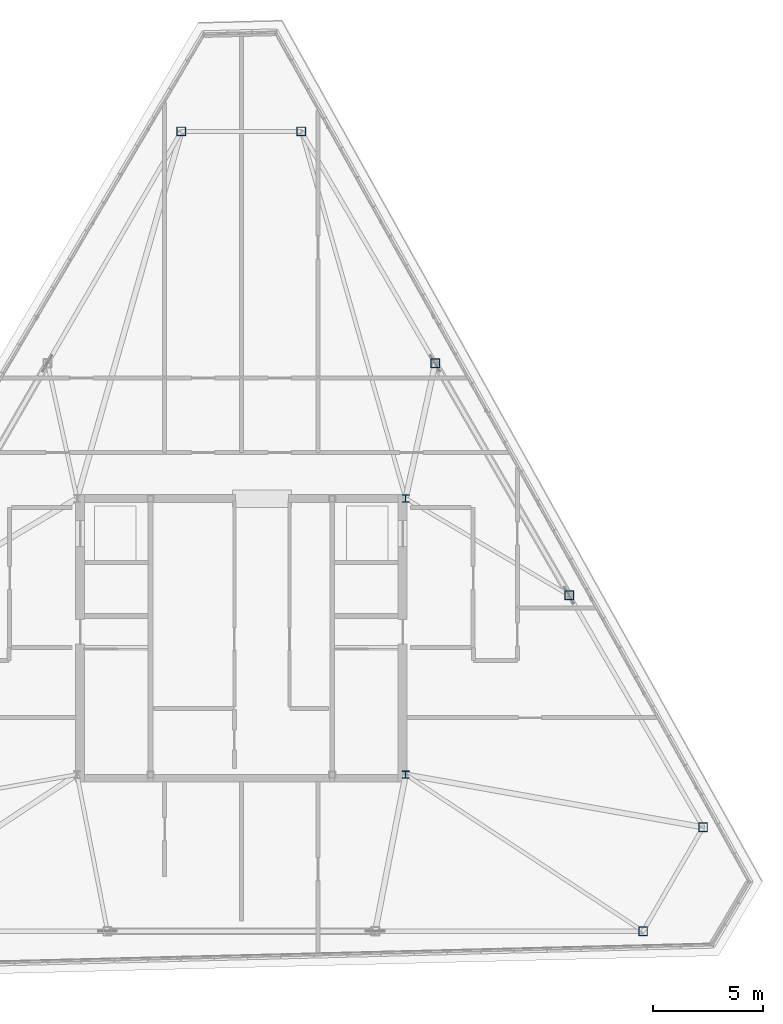
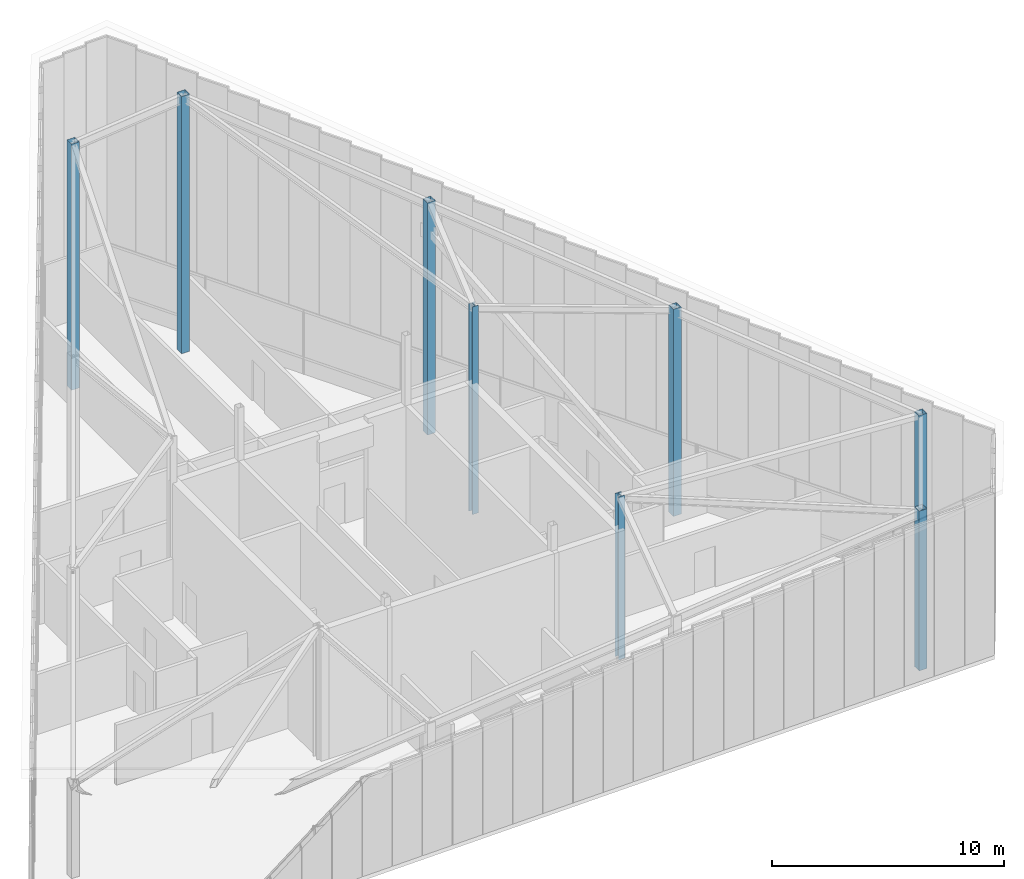
# One storey, part 2 of 50: 8 columns.
"""IFC4 building model written with IfcOpenShell, lengths in metres."""

from ifc_helpers import new_model, si_unit, direction, frame, origin, origin_2d, place, context, subcontext, project, spatial, hollow_rectangle, i_section, extrude, source, transform, mapped, material, material_profile, profile_set, type_object, type_shapes, element, save


model = new_model("IFC4")

# Units and contexts
model_context = context("Model", 3, precision=1e-05, world=origin(), true_north=direction((0.0, 1.0)))
body_context = subcontext(model_context, "Body", "Model", "MODEL_VIEW")
ifc_project = project(units=[si_unit("LENGTHUNIT", "METRE"), si_unit("AREAUNIT", "SQUARE_METRE"), si_unit("VOLUMEUNIT", "CUBIC_METRE"), si_unit("PLANEANGLEUNIT", "RADIAN"), si_unit("MASSUNIT", "GRAM", prefix="KILO")], contexts=[model_context])

# Site, building, storey
site_placement = place(None, origin())
site = spatial("IfcSite", under=ifc_project, at=site_placement, CompositionType="ELEMENT")
building_placement = place(site_placement, origin())
building = spatial("IfcBuilding", under=site, at=building_placement, Name="Caelisora Broadcast Tower", CompositionType="ELEMENT")
storey_placement = place(building_placement, frame((0.0, 0.0, 303.39990234375)))
storey = spatial("IfcBuildingStorey", under=building, at=storey_placement, Name="L80", CompositionType="ELEMENT", Elevation=303.39990234375)

# Columns
ifc_material_1 = material(Name="Steel Grade 350 (AS/NZS 3679.1)", Category="steel")
ifc_material_profile_1 = material_profile(ifc_material_1, i_section(OverallWidth=0.31103515625, OverallDepth=0.3271484375, WebThickness=0.015625, FlangeThickness=0.02490234375, at=origin_2d()), Name="Steel Grade 350 (AS/NZS 3679.1)")
ifc_profile_set_1 = profile_set([ifc_material_profile_1], Name="Steel Grade 350 (AS/NZS 3679.1)")
column_type_1 = type_object("IfcColumnType", Name="CC03", PredefinedType="COLUMN", material=ifc_profile_set_1)
shared_shape_1 = source(origin(), body_context, "Body", "SweptSolid", [
    extrude(i_section(OverallWidth=0.31103515625, OverallDepth=0.3271484375, WebThickness=0.015625, FlangeThickness=0.02490234375, at=origin_2d()), origin(), (0.0, 0.0, 1.0), 8.567138671875),
])
column_1_placement = place(storey_placement, frame((45.5, 17.39990234375, 0.0), z_axis=(0.0, 0.0, 1.0), x_axis=(1.0, 0.0, 0.0)))
element("IfcColumn", 1, at=column_1_placement, inside=storey, type_object=column_type_1, Name="L80 column CC03", PredefinedType="COLUMN", context=body_context, shape_type="MappedRepresentation", body=[
    mapped(shared_shape_1, transform((0.0, 0.0, 0.0), scale=1.0)),
])
shared_shape_2 = source(origin(), body_context, "Body", "SweptSolid", [
    extrude(i_section(OverallWidth=0.31103515625, OverallDepth=0.3271484375, WebThickness=0.015625, FlangeThickness=0.02490234375, at=origin_2d()), origin(), (0.0, 0.0, 1.0), 10.9130859375),
])
type_shapes(column_type_1, [shared_shape_1, shared_shape_2])
column_2_placement = place(storey_placement, frame((45.5, 30.0, 0.0), z_axis=(0.0, 0.0, 1.0), x_axis=(1.0, 0.0, 0.0)))
element("IfcColumn", 2, at=column_2_placement, inside=storey, type_object=column_type_1, Name="L80 column CC03", PredefinedType="COLUMN", context=body_context, shape_type="MappedRepresentation", body=[
    mapped(shared_shape_2, transform((0.0, 0.0, 0.0), scale=1.0)),
])
ifc_material_2 = material(Name="Steel Grade 350 (AS/NZS 1163 C350L0)", Category="steel")
ifc_material_profile_2 = material_profile(ifc_material_2, hollow_rectangle(XDim=0.39990234375, YDim=0.39990234375, WallThickness=0.01611328125, at=origin_2d()), Name="Steel Grade 350 (AS/NZS 1163 C350L0)")
ifc_profile_set_2 = profile_set([ifc_material_profile_2], Name="Steel Grade 350 (AS/NZS 1163 C350L0)")
column_type_2 = type_object("IfcColumnType", Name="MC08", PredefinedType="COLUMN", material=ifc_profile_set_2)
shared_shape_3 = source(origin(), body_context, "Body", "SweptSolid", [
    extrude(hollow_rectangle(XDim=0.39990234375, YDim=0.39990234375, WallThickness=0.01611328125, at=origin_2d()), origin(), (0.0, 0.0, 1.0), 13.522216796875),
])
column_3_placement = place(storey_placement, frame((40.73876953125, 46.756103515625, 0.0), z_axis=(0.0, 0.0, 1.0), x_axis=(1.0, 0.0, 0.0)))
element("IfcColumn", 3, at=column_3_placement, inside=storey, type_object=column_type_2, Name="L80 column MC08", PredefinedType="COLUMN", context=body_context, shape_type="MappedRepresentation", body=[
    mapped(shared_shape_3, transform((0.0, 0.0, 0.0), scale=1.0)),
])
shared_shape_4 = source(origin(), body_context, "Body", "SweptSolid", [
    extrude(hollow_rectangle(XDim=0.39990234375, YDim=0.39990234375, WallThickness=0.01611328125, at=origin_2d()), origin(), (0.0, 0.0, 1.0), 12.93310546875),
])
column_4_placement = place(storey_placement, frame((35.26123046875, 46.75634765625, 0.0), z_axis=(0.0, 0.0, 1.0), x_axis=(1.0, 0.0, 0.0)))
element("IfcColumn", 4, at=column_4_placement, inside=storey, type_object=column_type_2, Name="L80 column MC08", PredefinedType="COLUMN", context=body_context, shape_type="MappedRepresentation", body=[
    mapped(shared_shape_4, transform((0.0, 0.0, 0.0), scale=1.0)),
])
shared_shape_5 = source(origin(), body_context, "Body", "SweptSolid", [
    extrude(hollow_rectangle(XDim=0.39990234375, YDim=0.39990234375, WallThickness=0.01611328125, at=origin_2d()), origin(), (0.0, 0.0, 1.0), 8.401123046875),
])
column_5_placement = place(storey_placement, frame((56.338134765625, 10.25, 0.0), z_axis=(0.0, 0.0, 1.0), x_axis=(1.0, 0.0, 0.0)))
element("IfcColumn", 5, at=column_5_placement, inside=storey, type_object=column_type_2, Name="L80 column MC08", PredefinedType="COLUMN", context=body_context, shape_type="MappedRepresentation", body=[
    mapped(shared_shape_5, transform((0.0, 0.0, 0.0), scale=1.0)),
])
shared_shape_6 = source(origin(), body_context, "Body", "SweptSolid", [
    extrude(hollow_rectangle(XDim=0.39990234375, YDim=0.39990234375, WallThickness=0.01611328125, at=origin_2d()), origin(), (0.0, 0.0, 1.0), 9.5791015625),
])
column_6_placement = place(storey_placement, frame((59.076904296875, 14.99365234375, 0.0), z_axis=(0.0, 0.0, 1.0), x_axis=(1.0, 0.0, 0.0)))
element("IfcColumn", 6, at=column_6_placement, inside=storey, type_object=column_type_2, Name="L80 column MC08", PredefinedType="COLUMN", context=body_context, shape_type="MappedRepresentation", body=[
    mapped(shared_shape_6, transform((0.0, 0.0, 0.0), scale=1.0)),
])
shared_shape_7 = source(origin(), body_context, "Body", "SweptSolid", [
    extrude(hollow_rectangle(XDim=0.39990234375, YDim=0.39990234375, WallThickness=0.01611328125, at=origin_2d()), origin(), (0.0, 0.0, 1.0), 10.89306640625),
])
column_7_placement = place(storey_placement, frame((52.964111328125, 25.581298828125, 0.0), z_axis=(0.0, 0.0, 1.0), x_axis=(1.0, 0.0, 0.0)))
element("IfcColumn", 7, at=column_7_placement, inside=storey, type_object=column_type_2, Name="L80 column MC08", PredefinedType="COLUMN", context=body_context, shape_type="MappedRepresentation", body=[
    mapped(shared_shape_7, transform((0.0, 0.0, 0.0), scale=1.0)),
])
shared_shape_8 = source(origin(), body_context, "Body", "SweptSolid", [
    extrude(hollow_rectangle(XDim=0.39990234375, YDim=0.39990234375, WallThickness=0.01611328125, at=origin_2d()), origin(), (0.0, 0.0, 1.0), 12.20703125),
])
type_shapes(column_type_2, [shared_shape_3, shared_shape_4, shared_shape_5, shared_shape_6, shared_shape_7, shared_shape_8])
column_8_placement = place(storey_placement, frame((46.8515625, 36.168701171875, 0.0), z_axis=(0.0, 0.0, 1.0), x_axis=(1.0, 0.0, 0.0)))
element("IfcColumn", 8, at=column_8_placement, inside=storey, type_object=column_type_2, Name="L80 column MC08", PredefinedType="COLUMN", context=body_context, shape_type="MappedRepresentation", body=[
    mapped(shared_shape_8, transform((0.0, 0.0, 0.0), scale=1.0)),
])

save(model, "model.ifc")
